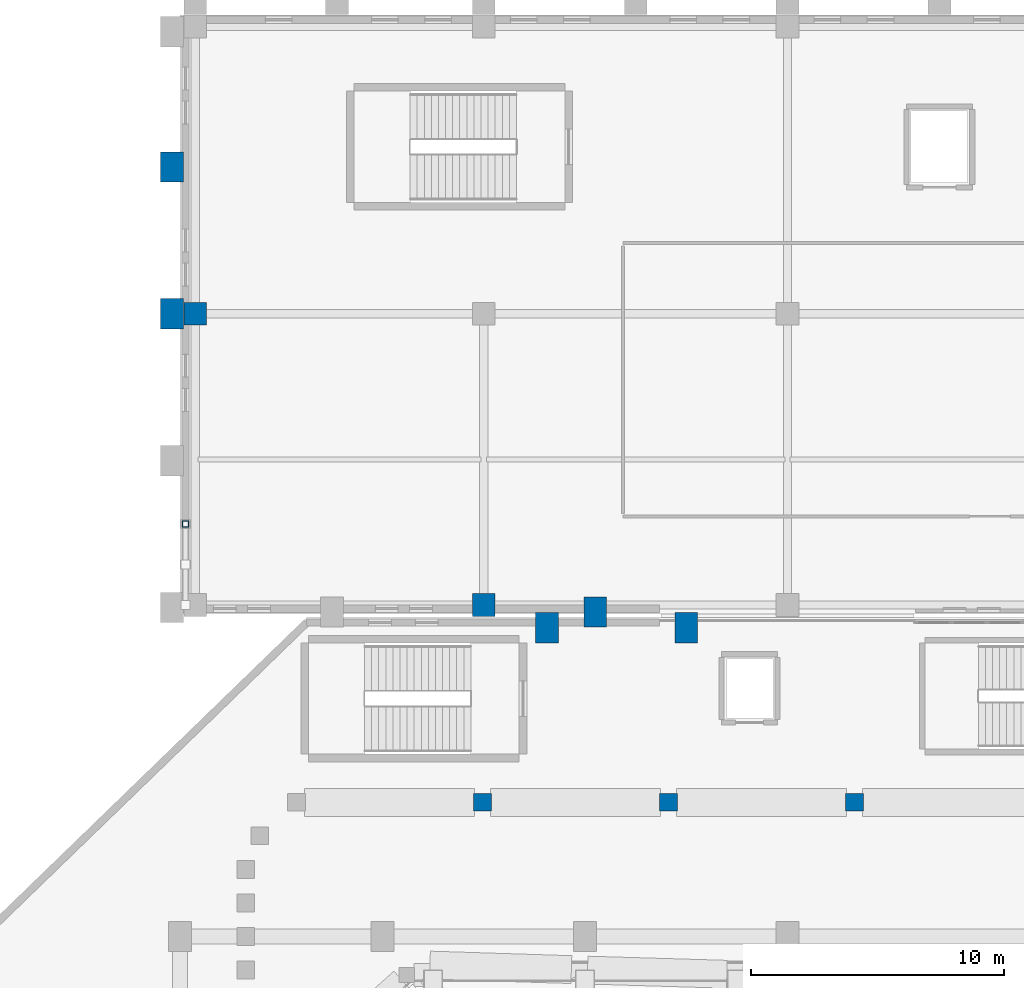
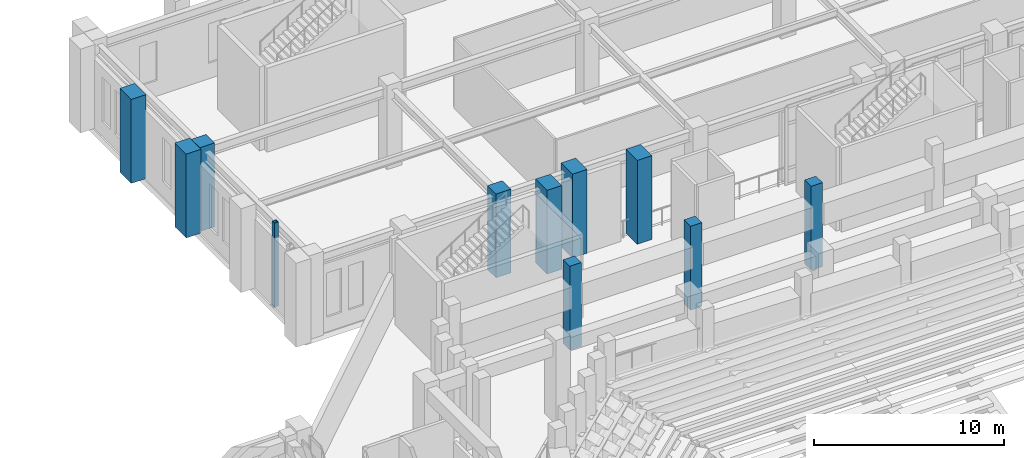
# One storey, part 6 of 159: 11 columns.
"""IFC4 building model written with IfcOpenShell, lengths in metres."""

from ifc_helpers import new_model, si_unit, derived_unit, direction, frame, origin, origin_2d, place, context, subcontext, project, spatial, rectangle, hollow_rectangle, extrude, material, material_profile, profile_set, type_object, element, save


model = new_model("IFC4")

# Units and contexts
model_context = context("Model", 3, precision=1e-05, world=origin(), true_north=direction((0.0, 1.0)))
body_context = subcontext(model_context, "Body", "Model", "MODEL_VIEW")
ifc_project = project(units=[si_unit("LENGTHUNIT", "METRE"), si_unit("AREAUNIT", "SQUARE_METRE"), si_unit("VOLUMEUNIT", "CUBIC_METRE"), si_unit("PLANEANGLEUNIT", "RADIAN"), si_unit("MASSUNIT", "GRAM", prefix="KILO"), derived_unit("THERMALTRANSMITTANCEUNIT", [(si_unit("MASSUNIT", "GRAM", prefix="KILO"), 1), (si_unit("TIMEUNIT", "SECOND"), -3), (si_unit("THERMODYNAMICTEMPERATUREUNIT", "KELVIN"), -1)])], contexts=[model_context])

# Site, building, storey
site_placement = place(None, origin())
site = spatial("IfcSite", under=ifc_project, at=site_placement, CompositionType="ELEMENT")
building_placement = place(site_placement, origin())
building = spatial("IfcBuilding", under=site, at=building_placement, Name="Valcora Ridge Arena", CompositionType="ELEMENT")
storey_placement = place(building_placement, frame((0.0, 0.0, 6.0)))
storey = spatial("IfcBuildingStorey", under=building, at=storey_placement, Name="L01", CompositionType="ELEMENT", Elevation=6.0)

# Columns
ifc_material_1 = material(Name="Bush-hammered Andean travertine architectural concrete C45/55", Category="masonry")
ifc_material_profile_1 = material_profile(ifc_material_1, rectangle(XDim=0.89990234375, YDim=1.199951171875, at=origin_2d()), Name="RC 900x1200")
ifc_profile_set_1 = profile_set([ifc_material_profile_1], Name="Bush-hammered Andean travertine architectural concrete C45/55")
column_type_1 = type_object("IfcColumnType", Name="TY-COLUMN-C-BUTT-1200", PredefinedType="PILASTER", material=ifc_profile_set_1)
for number, where, z_axis, x_axis, name in (
    (1, (38.5, 107.800048828125, 0.0), (0.0, 0.0, 1.0), (1.0, 0.0, 0.0), "C-BUTT-1200 COL-C-BUTT-1200-0019"),
    (2, (44.0, 107.800048828125, 0.0), (0.0, 0.0, 1.0), (1.0, 0.0, 0.0), "C-BUTT-1200 COL-C-BUTT-1200-0023"),
    (3, (23.679931640625, 120.199951171875, 0.0), (0.0, 0.0, 1.0), (1.0, 0.0, 0.0), "C-BUTT-1200 COL-C-BUTT-1200-0237"),
    (4, (23.679931640625, 126.0, 0.0), (0.0, 0.0, 1.0), (1.0, 0.0, 0.0), "C-BUTT-1200 COL-C-BUTT-1200-0241"),
    (5, (40.39990234375, 108.419921875, 0.0), (0.0, 0.0, 1.0), (1.0, 0.0, 0.0), "C-BUTT-1200 COL-C-BUTT-1200-0333"),
):
    element("IfcColumn", number, at=place(storey_placement, frame(where, z_axis=z_axis, x_axis=x_axis)), inside=storey, type_object=column_type_1, Name=name, PredefinedType="PILASTER", context=body_context, shape_type="SweptSolid", body=[
        extrude(rectangle(XDim=0.89990234375, YDim=1.199951171875, at=origin_2d()), origin(), (0.0, 0.0, 1.0), 5.39990234375),
    ])
ifc_material_2 = material(Name="Steel ASTM A500 Grade C", Category="steel")
ifc_material_profile_2 = material_profile(ifc_material_2, hollow_rectangle(XDim=0.25, YDim=0.25, WallThickness=0.012451171875, at=origin_2d()), Name="HSS250X250X12")
ifc_profile_set_2 = profile_set([ifc_material_profile_2], Name="Steel ASTM A500 Grade C")
column_type_2 = type_object("IfcColumnType", Name="TY-COLUMN-C-CBF250", PredefinedType="COLUMN", material=ifc_profile_set_2)
column_placement = place(storey_placement, frame((24.219970703125, 111.89990234375, 0.0), z_axis=(0.0, 0.0, 1.0), x_axis=(1.0, 0.0, 0.0)))
element("IfcColumn", 6, at=column_placement, inside=storey, type_object=column_type_2, Name="C-CBF250 COL-CBF-C-CBF250-0015", PredefinedType="COLUMN", context=body_context, shape_type="SweptSolid", body=[
    extrude(hollow_rectangle(XDim=0.25, YDim=0.25, WallThickness=0.012451171875, at=origin_2d()), origin(), (0.0, 0.0, 1.0), 5.39990234375),
])
ifc_material_3 = material(Name="Concrete C40/50", Category="concrete")
ifc_material_profile_3 = material_profile(ifc_material_3, rectangle(XDim=0.89990234375, YDim=0.89990234375, at=origin_2d()), Name="RC 900x900")
ifc_profile_set_3 = profile_set([ifc_material_profile_3], Name="Concrete C40/50")
column_type_3 = type_object("IfcColumnType", Name="TY-COLUMN-C-RC900B", PredefinedType="COLUMN", material=ifc_profile_set_3)
for number, where, z_axis, x_axis, name in (
    (7, (24.60009765625, 120.199951171875, 0.0), (0.0, 0.0, 1.0), (1.0, 0.0, 0.0), "C-RC900B COL-C-RC900B-0006"),
    (8, (36.0, 108.699951171875, 0.0), (0.0, 0.0, 1.0), (1.0, 0.0, 0.0), "C-RC900B COL-C-RC900B-0012"),
):
    element("IfcColumn", number, at=place(storey_placement, frame(where, z_axis=z_axis, x_axis=x_axis)), inside=storey, type_object=column_type_3, Name=name, PredefinedType="COLUMN", context=body_context, shape_type="SweptSolid", body=[
        extrude(rectangle(XDim=0.89990234375, YDim=0.89990234375, at=origin_2d()), origin(), (0.0, 0.0, 1.0), 5.39990234375),
    ])
ifc_material_profile_4 = material_profile(ifc_material_3, rectangle(XDim=0.699951171875, YDim=0.699951171875, at=origin_2d()), Name="RC 700x700")
ifc_profile_set_4 = profile_set([ifc_material_profile_4], Name="Concrete C40/50")
column_type_4 = type_object("IfcColumnType", Name="TY-COLUMN-C-RKRU700B", PredefinedType="COLUMN", material=ifc_profile_set_4)
for number, where, z_axis, x_axis, name in (
    (9, (50.64990234375, 100.89990234375, 0.0), (0.0, 0.0, 1.0), (1.0, 0.0, 0.0), "C-RKRU700B COL-RK-C-RKRU700B-0178"),
    (10, (43.300048828125, 100.89990234375, 0.0), (0.0, 0.0, 1.0), (1.0, 0.0, 0.0), "C-RKRU700B COL-RK-C-RKRU700B-0183"),
    (11, (35.949951171875, 100.89990234375, 0.0), (0.0, 0.0, 1.0), (1.0, 0.0, 0.0), "C-RKRU700B COL-RK-C-RKRU700B-0188"),
):
    element("IfcColumn", number, at=place(storey_placement, frame(where, z_axis=z_axis, x_axis=x_axis)), inside=storey, type_object=column_type_4, Name=name, PredefinedType="COLUMN", context=body_context, shape_type="SweptSolid", body=[
        extrude(rectangle(XDim=0.699951171875, YDim=0.699951171875, at=origin_2d()), origin(), (0.0, 0.0, 1.0), 5.39990234375),
    ])

save(model, "model.ifc")
